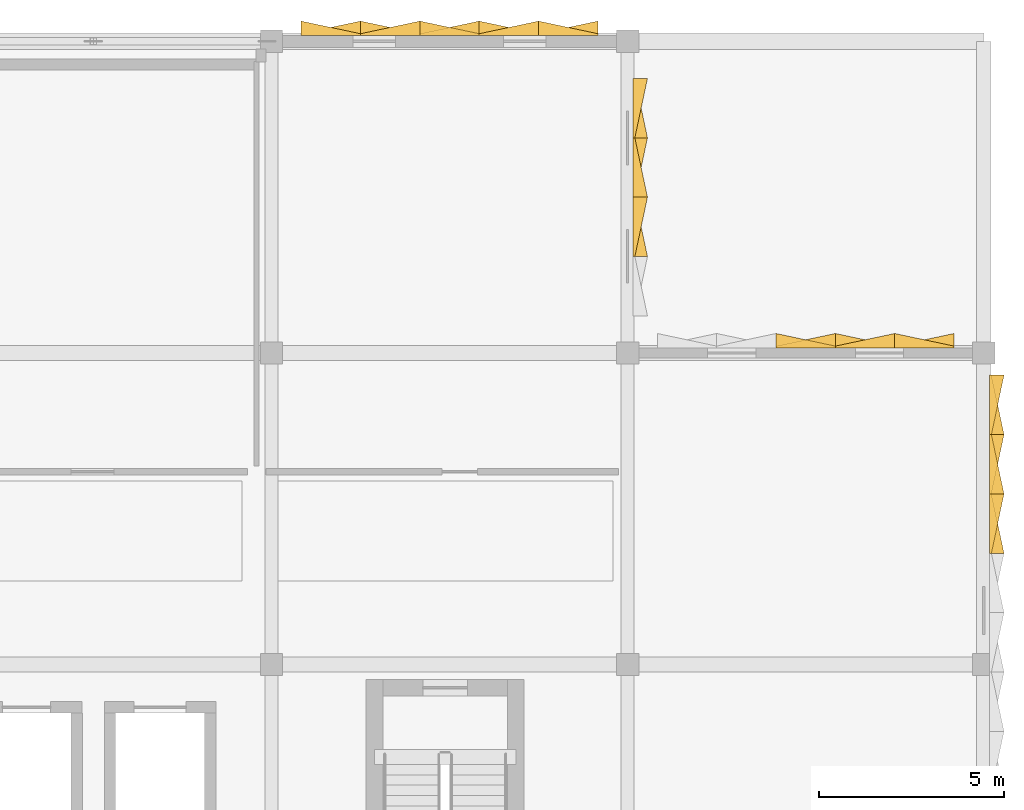
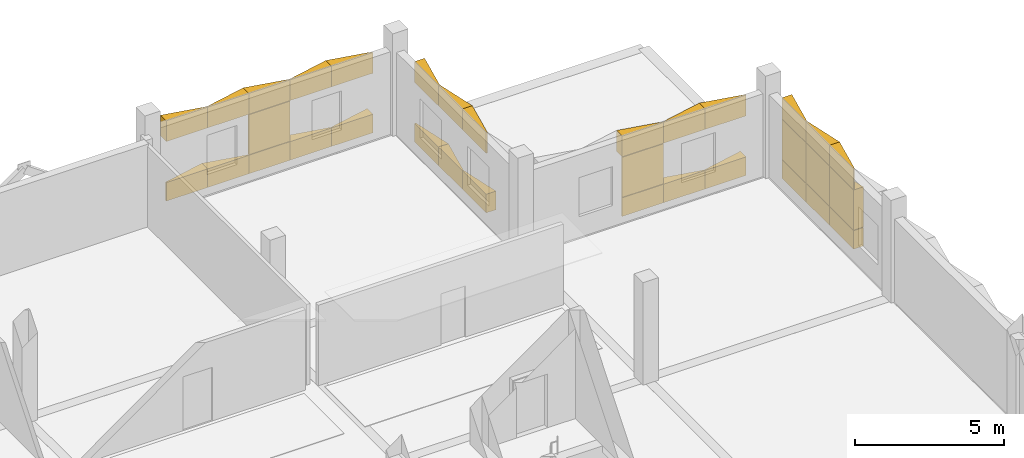
# One storey, part 18 of 18: 33 coverings.
"""IFC4 building model written with IfcOpenShell, lengths in metres."""

from ifc_helpers import new_model, si_unit, direction, frame, origin, place, context, subcontext, project, spatial, polyline, outline, extrude, material, type_object, element, save


model = new_model("IFC4")

# Units and contexts
model_context = context("Model", 3, precision=1e-05, world=origin(), true_north=direction((0.0, 1.0)))
body_context = subcontext(model_context, "Body", "Model", "MODEL_VIEW")
ifc_project = project(units=[si_unit("LENGTHUNIT", "METRE"), si_unit("AREAUNIT", "SQUARE_METRE"), si_unit("VOLUMEUNIT", "CUBIC_METRE"), si_unit("PLANEANGLEUNIT", "RADIAN"), si_unit("MASSUNIT", "GRAM", prefix="KILO")], contexts=[model_context])

# Site, building, storey
site_placement = place(None, origin())
site = spatial("IfcSite", under=ifc_project, at=site_placement, CompositionType="ELEMENT")
building_placement = place(site_placement, origin())
building = spatial("IfcBuilding", under=site, at=building_placement, Name="Oolite Switchyard Hospital", CompositionType="ELEMENT")
storey_placement = place(building_placement, frame((0.0, 0.0, 26.199951171875)))
storey = spatial("IfcBuildingStorey", under=building, at=storey_placement, Name="L06", CompositionType="ELEMENT", Elevation=26.199951171875)

# Coverings
ifc_material = material(Name="Precast oolitic limestone architectural concrete C40/50", Category="masonry")
covering_type = type_object("IfcCoveringType", Name="COV-CHEV-COOL", PredefinedType="CLADDING", material=ifc_material)
covering_1_placement = place(storey_placement, frame((205.60009765625, 126.139892578125, 0.050048828125), z_axis=(0.0, 0.0, 1.0), x_axis=(1.0, 0.0, 0.0)))
element("IfcCovering", 1, at=covering_1_placement, inside=storey, type_object=covering_type, Name="L06 Chevron Precast Oolite Panel 1527", PredefinedType="CLADDING", context=body_context, shape_type="SweptSolid", body=[
    extrude(outline(polyline([(0.0, 0.0), (1.599853515625, 0.0), (1.599853515625, 0.385009765625), (0.0, 0.044921875), (0.0, 0.0)])), origin(), (0.0, 0.0, 1.0), 0.760009765625),
])
covering_2_placement = place(storey_placement, frame((205.60009765625, 126.139892578125, 2.489990234375), z_axis=(0.0, 0.0, 1.0), x_axis=(1.0, 0.0, 0.0)))
element("IfcCovering", 2, at=covering_2_placement, inside=storey, type_object=covering_type, Name="L06 Chevron Precast Oolite Panel 1528", PredefinedType="CLADDING", context=body_context, shape_type="SweptSolid", body=[
    extrude(outline(polyline([(0.0, 0.0), (1.599853515625, 0.0), (1.599853515625, 0.044921875), (0.0, 0.385009765625), (0.0, 0.0)])), origin(), (0.0, 0.0, 1.0), 0.85009765625),
])
covering_3_placement = place(storey_placement, frame((205.60009765625, 126.139892578125, 0.830078125), z_axis=(0.0, 0.0, 1.0), x_axis=(1.0, 0.0, 0.0)))
element("IfcCovering", 3, at=covering_3_placement, inside=storey, type_object=covering_type, Name="L06 Chevron Precast Oolite Panel 1529", PredefinedType="CLADDING", context=body_context, shape_type="SweptSolid", body=[
    extrude(outline(polyline([(0.0, 0.0), (1.599853515625, 0.0), (1.599853515625, 0.385009765625), (0.0, 0.044921875), (0.0, 0.0)])), origin(), (0.0, 0.0, 1.0), 1.639892578125),
])
covering_4_placement = place(storey_placement, frame((207.199951171875, 126.139892578125, 0.050048828125), z_axis=(0.0, 0.0, 1.0), x_axis=(1.0, 0.0, 0.0)))
element("IfcCovering", 4, at=covering_4_placement, inside=storey, type_object=covering_type, Name="L06 Chevron Precast Oolite Panel 1530", PredefinedType="CLADDING", context=body_context, shape_type="SweptSolid", body=[
    extrude(outline(polyline([(0.0, 0.0), (1.60009765625, 0.0), (1.60009765625, 0.044921875), (0.0, 0.385009765625), (0.0, 0.0)])), origin(), (0.0, 0.0, 1.0), 0.760009765625),
])
covering_5_placement = place(storey_placement, frame((207.199951171875, 126.139892578125, 2.489990234375), z_axis=(0.0, 0.0, 1.0), x_axis=(1.0, 0.0, 0.0)))
element("IfcCovering", 5, at=covering_5_placement, inside=storey, type_object=covering_type, Name="L06 Chevron Precast Oolite Panel 1531", PredefinedType="CLADDING", context=body_context, shape_type="SweptSolid", body=[
    extrude(outline(polyline([(0.0, 0.0), (1.60009765625, 0.0), (1.60009765625, 0.385009765625), (0.0, 0.044921875), (0.0, 0.0)])), origin(), (0.0, 0.0, 1.0), 0.85009765625),
])
covering_6_placement = place(storey_placement, frame((208.800048828125, 126.139892578125, 0.050048828125), z_axis=(0.0, 0.0, 1.0), x_axis=(1.0, 0.0, 0.0)))
element("IfcCovering", 6, at=covering_6_placement, inside=storey, type_object=covering_type, Name="L06 Chevron Precast Oolite Panel 1532", PredefinedType="CLADDING", context=body_context, shape_type="SweptSolid", body=[
    extrude(outline(polyline([(0.0, 0.0), (1.599853515625, 0.0), (1.599853515625, 0.385009765625), (0.0, 0.044921875), (0.0, 0.0)])), origin(), (0.0, 0.0, 1.0), 0.760009765625),
])
covering_7_placement = place(storey_placement, frame((208.800048828125, 126.139892578125, 2.489990234375), z_axis=(0.0, 0.0, 1.0), x_axis=(1.0, 0.0, 0.0)))
element("IfcCovering", 7, at=covering_7_placement, inside=storey, type_object=covering_type, Name="L06 Chevron Precast Oolite Panel 1533", PredefinedType="CLADDING", context=body_context, shape_type="SweptSolid", body=[
    extrude(outline(polyline([(0.0, 0.0), (1.599853515625, 0.0), (1.599853515625, 0.044921875), (0.0, 0.385009765625), (0.0, 0.0)])), origin(), (0.0, 0.0, 1.0), 0.85009765625),
])
covering_8_placement = place(storey_placement, frame((192.800048828125, 134.56005859375, 0.050048828125), z_axis=(0.0, 0.0, 1.0), x_axis=(1.0, 0.0, 0.0)))
element("IfcCovering", 8, at=covering_8_placement, inside=storey, type_object=covering_type, Name="L06 Chevron Precast Oolite Panel 1564", PredefinedType="CLADDING", context=body_context, shape_type="SweptSolid", body=[
    extrude(outline(polyline([(0.0, 0.0), (1.599853515625, 0.0), (1.599853515625, 0.385009765625), (0.0, 0.044921875), (0.0, 0.0)])), origin(), (0.0, 0.0, 1.0), 0.760009765625),
])
covering_9_placement = place(storey_placement, frame((192.800048828125, 134.56005859375, 2.489990234375), z_axis=(0.0, 0.0, 1.0), x_axis=(1.0, 0.0, 0.0)))
element("IfcCovering", 9, at=covering_9_placement, inside=storey, type_object=covering_type, Name="L06 Chevron Precast Oolite Panel 1565", PredefinedType="CLADDING", context=body_context, shape_type="SweptSolid", body=[
    extrude(outline(polyline([(0.0, 0.0), (1.599853515625, 0.0), (1.599853515625, 0.044921875), (0.0, 0.385009765625), (0.0, 0.0)])), origin(), (0.0, 0.0, 1.0), 0.85009765625),
])
covering_10_placement = place(storey_placement, frame((194.39990234375, 134.56005859375, 0.050048828125), z_axis=(0.0, 0.0, 1.0), x_axis=(1.0, 0.0, 0.0)))
element("IfcCovering", 10, at=covering_10_placement, inside=storey, type_object=covering_type, Name="L06 Chevron Precast Oolite Panel 1566", PredefinedType="CLADDING", context=body_context, shape_type="SweptSolid", body=[
    extrude(outline(polyline([(0.0, 0.0), (1.60009765625, 0.0), (1.60009765625, 0.044921875), (0.0, 0.385009765625), (0.0, 0.0)])), origin(), (0.0, 0.0, 1.0), 0.760009765625),
])
covering_11_placement = place(storey_placement, frame((194.39990234375, 134.56005859375, 2.489990234375), z_axis=(0.0, 0.0, 1.0), x_axis=(1.0, 0.0, 0.0)))
element("IfcCovering", 11, at=covering_11_placement, inside=storey, type_object=covering_type, Name="L06 Chevron Precast Oolite Panel 1567", PredefinedType="CLADDING", context=body_context, shape_type="SweptSolid", body=[
    extrude(outline(polyline([(0.0, 0.0), (1.60009765625, 0.0), (1.60009765625, 0.385009765625), (0.0, 0.044921875), (0.0, 0.0)])), origin(), (0.0, 0.0, 1.0), 0.85009765625),
])
covering_12_placement = place(storey_placement, frame((196.0, 134.56005859375, 0.050048828125), z_axis=(0.0, 0.0, 1.0), x_axis=(1.0, 0.0, 0.0)))
element("IfcCovering", 12, at=covering_12_placement, inside=storey, type_object=covering_type, Name="L06 Chevron Precast Oolite Panel 1568", PredefinedType="CLADDING", context=body_context, shape_type="SweptSolid", body=[
    extrude(outline(polyline([(0.0, 0.0), (1.60009765625, 0.0), (1.60009765625, 0.385009765625), (0.0, 0.044921875), (0.0, 0.0)])), origin(), (0.0, 0.0, 1.0), 0.760009765625),
])
covering_13_placement = place(storey_placement, frame((196.0, 134.56005859375, 2.489990234375), z_axis=(0.0, 0.0, 1.0), x_axis=(1.0, 0.0, 0.0)))
element("IfcCovering", 13, at=covering_13_placement, inside=storey, type_object=covering_type, Name="L06 Chevron Precast Oolite Panel 1569", PredefinedType="CLADDING", context=body_context, shape_type="SweptSolid", body=[
    extrude(outline(polyline([(0.0, 0.0), (1.60009765625, 0.0), (1.60009765625, 0.044921875), (0.0, 0.385009765625), (0.0, 0.0)])), origin(), (0.0, 0.0, 1.0), 0.85009765625),
])
covering_14_placement = place(storey_placement, frame((196.0, 134.56005859375, 0.830078125), z_axis=(0.0, 0.0, 1.0), x_axis=(1.0, 0.0, 0.0)))
element("IfcCovering", 14, at=covering_14_placement, inside=storey, type_object=covering_type, Name="L06 Chevron Precast Oolite Panel 1570", PredefinedType="CLADDING", context=body_context, shape_type="SweptSolid", body=[
    extrude(outline(polyline([(0.0, 0.0), (1.60009765625, 0.0), (1.60009765625, 0.385009765625), (0.0, 0.044921875), (0.0, 0.0)])), origin(), (0.0, 0.0, 1.0), 1.639892578125),
])
covering_15_placement = place(storey_placement, frame((197.60009765625, 134.56005859375, 0.050048828125), z_axis=(0.0, 0.0, 1.0), x_axis=(1.0, 0.0, 0.0)))
element("IfcCovering", 15, at=covering_15_placement, inside=storey, type_object=covering_type, Name="L06 Chevron Precast Oolite Panel 1571", PredefinedType="CLADDING", context=body_context, shape_type="SweptSolid", body=[
    extrude(outline(polyline([(0.0, 0.0), (1.599853515625, 0.0), (1.599853515625, 0.044921875), (0.0, 0.385009765625), (0.0, 0.0)])), origin(), (0.0, 0.0, 1.0), 0.760009765625),
])
covering_16_placement = place(storey_placement, frame((197.60009765625, 134.56005859375, 2.489990234375), z_axis=(0.0, 0.0, 1.0), x_axis=(1.0, 0.0, 0.0)))
element("IfcCovering", 16, at=covering_16_placement, inside=storey, type_object=covering_type, Name="L06 Chevron Precast Oolite Panel 1572", PredefinedType="CLADDING", context=body_context, shape_type="SweptSolid", body=[
    extrude(outline(polyline([(0.0, 0.0), (1.599853515625, 0.0), (1.599853515625, 0.385009765625), (0.0, 0.044921875), (0.0, 0.0)])), origin(), (0.0, 0.0, 1.0), 0.85009765625),
])
covering_17_placement = place(storey_placement, frame((199.199951171875, 134.56005859375, 0.050048828125), z_axis=(0.0, 0.0, 1.0), x_axis=(1.0, 0.0, 0.0)))
element("IfcCovering", 17, at=covering_17_placement, inside=storey, type_object=covering_type, Name="L06 Chevron Precast Oolite Panel 1573", PredefinedType="CLADDING", context=body_context, shape_type="SweptSolid", body=[
    extrude(outline(polyline([(0.0, 0.0), (1.60009765625, 0.0), (1.60009765625, 0.385009765625), (0.0, 0.044921875), (0.0, 0.0)])), origin(), (0.0, 0.0, 1.0), 0.760009765625),
])
covering_18_placement = place(storey_placement, frame((199.199951171875, 134.56005859375, 2.489990234375), z_axis=(0.0, 0.0, 1.0), x_axis=(1.0, 0.0, 0.0)))
element("IfcCovering", 18, at=covering_18_placement, inside=storey, type_object=covering_type, Name="L06 Chevron Precast Oolite Panel 1574", PredefinedType="CLADDING", context=body_context, shape_type="SweptSolid", body=[
    extrude(outline(polyline([(0.0, 0.0), (1.60009765625, 0.0), (1.60009765625, 0.044921875), (0.0, 0.385009765625), (0.0, 0.0)])), origin(), (0.0, 0.0, 1.0), 0.85009765625),
])
covering_19_placement = place(storey_placement, frame((201.75, 133.39990234375, 0.050048828125), z_axis=(0.0, 0.0, 1.0), x_axis=(0.0, -1.0, 0.0)))
element("IfcCovering", 19, at=covering_19_placement, inside=storey, type_object=covering_type, Name="L06 Chevron Precast Oolite Panel 1648", PredefinedType="CLADDING", context=body_context, shape_type="SweptSolid", body=[
    extrude(outline(polyline([(0.0, 0.0), (1.599853515625, 0.0), (1.599853515625, 0.385009765625), (0.0, 0.044921875), (0.0, 0.0)])), origin(), (0.0, 0.0, 1.0), 0.760009765625),
])
covering_20_placement = place(storey_placement, frame((201.75, 133.39990234375, 2.489990234375), z_axis=(0.0, 0.0, 1.0), x_axis=(0.0, -1.0, 0.0)))
element("IfcCovering", 20, at=covering_20_placement, inside=storey, type_object=covering_type, Name="L06 Chevron Precast Oolite Panel 1649", PredefinedType="CLADDING", context=body_context, shape_type="SweptSolid", body=[
    extrude(outline(polyline([(0.0, 0.0), (1.599853515625, 0.0), (1.599853515625, 0.044921875), (0.0, 0.385009765625), (0.0, 0.0)])), origin(), (0.0, 0.0, 1.0), 0.85009765625),
])
covering_21_placement = place(storey_placement, frame((201.75, 131.800048828125, 0.050048828125), z_axis=(0.0, 0.0, 1.0), x_axis=(0.0, -1.0, 0.0)))
element("IfcCovering", 21, at=covering_21_placement, inside=storey, type_object=covering_type, Name="L06 Chevron Precast Oolite Panel 1650", PredefinedType="CLADDING", context=body_context, shape_type="SweptSolid", body=[
    extrude(outline(polyline([(0.0, 0.0), (1.60009765625, 0.0), (1.60009765625, 0.044921875), (0.0, 0.385009765625), (0.0, 0.0)])), origin(), (0.0, 0.0, 1.0), 0.760009765625),
])
covering_22_placement = place(storey_placement, frame((201.75, 131.800048828125, 2.489990234375), z_axis=(0.0, 0.0, 1.0), x_axis=(0.0, -1.0, 0.0)))
element("IfcCovering", 22, at=covering_22_placement, inside=storey, type_object=covering_type, Name="L06 Chevron Precast Oolite Panel 1651", PredefinedType="CLADDING", context=body_context, shape_type="SweptSolid", body=[
    extrude(outline(polyline([(0.0, 0.0), (1.60009765625, 0.0), (1.60009765625, 0.385009765625), (0.0, 0.044921875), (0.0, 0.0)])), origin(), (0.0, 0.0, 1.0), 0.85009765625),
])
covering_23_placement = place(storey_placement, frame((201.75, 130.199951171875, 0.050048828125), z_axis=(0.0, 0.0, 1.0), x_axis=(0.0, -1.0, 0.0)))
element("IfcCovering", 23, at=covering_23_placement, inside=storey, type_object=covering_type, Name="L06 Chevron Precast Oolite Panel 1652", PredefinedType="CLADDING", context=body_context, shape_type="SweptSolid", body=[
    extrude(outline(polyline([(0.0, 0.0), (1.599853515625, 0.0), (1.599853515625, 0.385009765625), (0.0, 0.044921875), (0.0, 0.0)])), origin(), (0.0, 0.0, 1.0), 0.760009765625),
])
covering_24_placement = place(storey_placement, frame((201.75, 130.199951171875, 2.489990234375), z_axis=(0.0, 0.0, 1.0), x_axis=(0.0, -1.0, 0.0)))
element("IfcCovering", 24, at=covering_24_placement, inside=storey, type_object=covering_type, Name="L06 Chevron Precast Oolite Panel 1653", PredefinedType="CLADDING", context=body_context, shape_type="SweptSolid", body=[
    extrude(outline(polyline([(0.0, 0.0), (1.599853515625, 0.0), (1.599853515625, 0.044921875), (0.0, 0.385009765625), (0.0, 0.0)])), origin(), (0.0, 0.0, 1.0), 0.85009765625),
])
covering_25_placement = place(storey_placement, frame((211.360107421875, 125.39990234375, 0.050048828125), z_axis=(0.0, 0.0, 1.0), x_axis=(0.0, -1.0, 0.0)))
element("IfcCovering", 25, at=covering_25_placement, inside=storey, type_object=covering_type, Name="L06 Chevron Precast Oolite Panel 1656", PredefinedType="CLADDING", context=body_context, shape_type="SweptSolid", body=[
    extrude(outline(polyline([(0.0, 0.0), (1.599853515625, 0.0), (1.599853515625, 0.385009765625), (0.0, 0.044921875), (0.0, 0.0)])), origin(), (0.0, 0.0, 1.0), 0.760009765625),
])
covering_26_placement = place(storey_placement, frame((211.360107421875, 125.39990234375, 2.489990234375), z_axis=(0.0, 0.0, 1.0), x_axis=(0.0, -1.0, 0.0)))
element("IfcCovering", 26, at=covering_26_placement, inside=storey, type_object=covering_type, Name="L06 Chevron Precast Oolite Panel 1657", PredefinedType="CLADDING", context=body_context, shape_type="SweptSolid", body=[
    extrude(outline(polyline([(0.0, 0.0), (1.599853515625, 0.0), (1.599853515625, 0.044921875), (0.0, 0.385009765625), (0.0, 0.0)])), origin(), (0.0, 0.0, 1.0), 0.85009765625),
])
covering_27_placement = place(storey_placement, frame((211.360107421875, 125.39990234375, 0.830078125), z_axis=(0.0, 0.0, 1.0), x_axis=(0.0, -1.0, 0.0)))
element("IfcCovering", 27, at=covering_27_placement, inside=storey, type_object=covering_type, Name="L06 Chevron Precast Oolite Panel 1658", PredefinedType="CLADDING", context=body_context, shape_type="SweptSolid", body=[
    extrude(outline(polyline([(0.0, 0.0), (1.599853515625, 0.0), (1.599853515625, 0.385009765625), (0.0, 0.044921875), (0.0, 0.0)])), origin(), (0.0, 0.0, 1.0), 1.639892578125),
])
covering_28_placement = place(storey_placement, frame((211.360107421875, 123.800048828125, 0.050048828125), z_axis=(0.0, 0.0, 1.0), x_axis=(0.0, -1.0, 0.0)))
element("IfcCovering", 28, at=covering_28_placement, inside=storey, type_object=covering_type, Name="L06 Chevron Precast Oolite Panel 1659", PredefinedType="CLADDING", context=body_context, shape_type="SweptSolid", body=[
    extrude(outline(polyline([(0.0, 0.0), (1.60009765625, 0.0), (1.60009765625, 0.044921875), (0.0, 0.385009765625), (0.0, 0.0)])), origin(), (0.0, 0.0, 1.0), 0.760009765625),
])
covering_29_placement = place(storey_placement, frame((211.360107421875, 123.800048828125, 2.489990234375), z_axis=(0.0, 0.0, 1.0), x_axis=(0.0, -1.0, 0.0)))
element("IfcCovering", 29, at=covering_29_placement, inside=storey, type_object=covering_type, Name="L06 Chevron Precast Oolite Panel 1660", PredefinedType="CLADDING", context=body_context, shape_type="SweptSolid", body=[
    extrude(outline(polyline([(0.0, 0.0), (1.60009765625, 0.0), (1.60009765625, 0.385009765625), (0.0, 0.044921875), (0.0, 0.0)])), origin(), (0.0, 0.0, 1.0), 0.85009765625),
])
covering_30_placement = place(storey_placement, frame((211.360107421875, 123.800048828125, 0.830078125), z_axis=(0.0, 0.0, 1.0), x_axis=(0.0, -1.0, 0.0)))
element("IfcCovering", 30, at=covering_30_placement, inside=storey, type_object=covering_type, Name="L06 Chevron Precast Oolite Panel 1661", PredefinedType="CLADDING", context=body_context, shape_type="SweptSolid", body=[
    extrude(outline(polyline([(0.0, 0.0), (1.60009765625, 0.0), (1.60009765625, 0.044921875), (0.0, 0.385009765625), (0.0, 0.0)])), origin(), (0.0, 0.0, 1.0), 1.639892578125),
])
covering_31_placement = place(storey_placement, frame((211.360107421875, 122.199951171875, 0.050048828125), z_axis=(0.0, 0.0, 1.0), x_axis=(0.0, -1.0, 0.0)))
element("IfcCovering", 31, at=covering_31_placement, inside=storey, type_object=covering_type, Name="L06 Chevron Precast Oolite Panel 1662", PredefinedType="CLADDING", context=body_context, shape_type="SweptSolid", body=[
    extrude(outline(polyline([(0.0, 0.0), (1.599853515625, 0.0), (1.599853515625, 0.385009765625), (0.0, 0.044921875), (0.0, 0.0)])), origin(), (0.0, 0.0, 1.0), 0.760009765625),
])
covering_32_placement = place(storey_placement, frame((211.360107421875, 122.199951171875, 2.489990234375), z_axis=(0.0, 0.0, 1.0), x_axis=(0.0, -1.0, 0.0)))
element("IfcCovering", 32, at=covering_32_placement, inside=storey, type_object=covering_type, Name="L06 Chevron Precast Oolite Panel 1663", PredefinedType="CLADDING", context=body_context, shape_type="SweptSolid", body=[
    extrude(outline(polyline([(0.0, 0.0), (1.599853515625, 0.0), (1.599853515625, 0.044921875), (0.0, 0.385009765625), (0.0, 0.0)])), origin(), (0.0, 0.0, 1.0), 0.85009765625),
])
covering_33_placement = place(storey_placement, frame((211.360107421875, 122.199951171875, 0.830078125), z_axis=(0.0, 0.0, 1.0), x_axis=(0.0, -1.0, 0.0)))
element("IfcCovering", 33, at=covering_33_placement, inside=storey, type_object=covering_type, Name="L06 Chevron Precast Oolite Panel 1664", PredefinedType="CLADDING", context=body_context, shape_type="SweptSolid", body=[
    extrude(outline(polyline([(0.0, 0.0), (1.599853515625, 0.0), (1.599853515625, 0.385009765625), (0.0, 0.044921875), (0.0, 0.0)])), origin(), (0.0, 0.0, 1.0), 1.639892578125),
])

save(model, "model.ifc")
